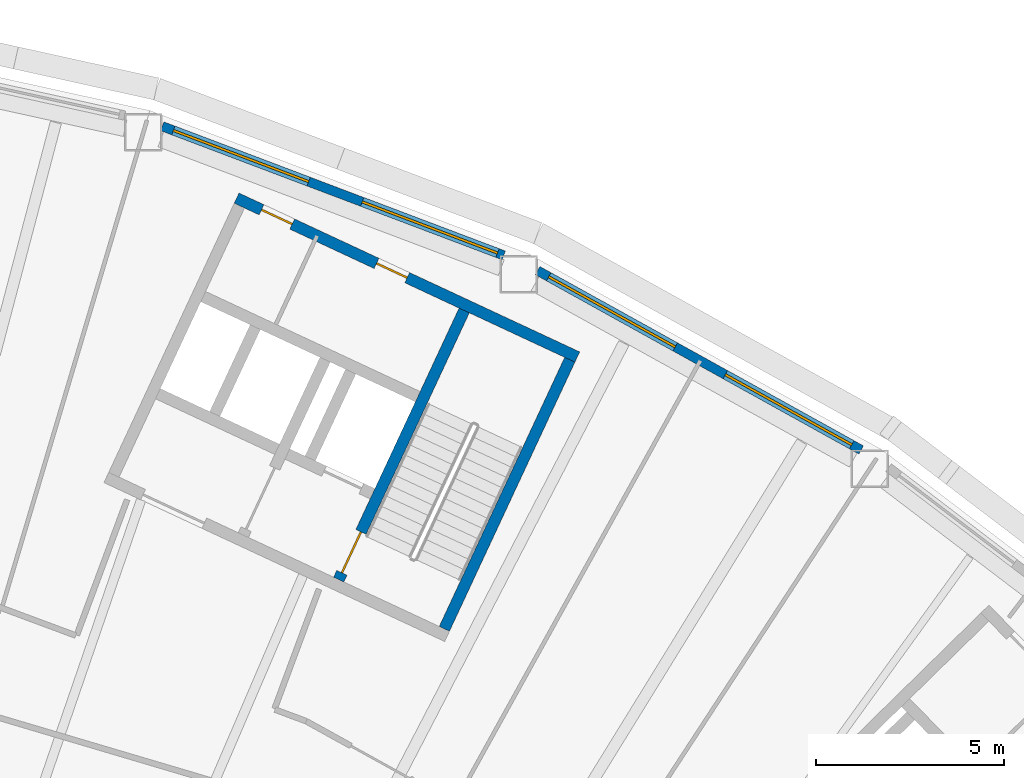
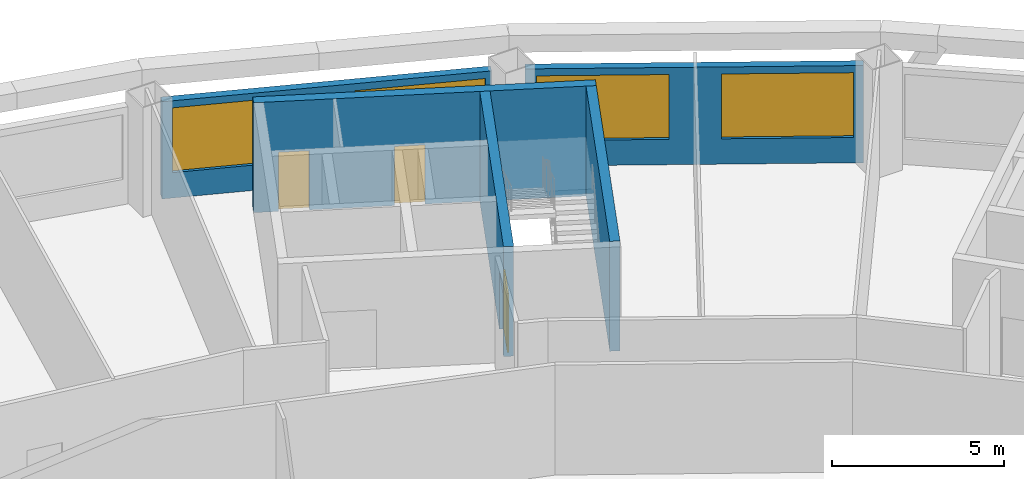
# One storey, part 8 of 11: 5 walls, 4 windows, 3 doors, 7 openings.
"""IFC4 building model written with IfcOpenShell, lengths in metres."""

from ifc_helpers import new_model, si_unit, direction, frame, frame_2d, origin, place, context, subcontext, project, spatial, rectangle, extrude, material, layer, layer_set, type_object, element, fill, save


model = new_model("IFC4")

# Units and contexts
model_context = context("Model", 3, precision=1e-05, world=origin(), true_north=direction((0.0, 1.0)))
body_context = subcontext(model_context, "Body", "Model", "MODEL_VIEW")
ifc_project = project(units=[si_unit("LENGTHUNIT", "METRE"), si_unit("AREAUNIT", "SQUARE_METRE"), si_unit("VOLUMEUNIT", "CUBIC_METRE"), si_unit("PLANEANGLEUNIT", "RADIAN"), si_unit("MASSUNIT", "GRAM", prefix="KILO")], contexts=[model_context])

# Site, building, storey
site_placement = place(None, origin())
site = spatial("IfcSite", under=ifc_project, at=site_placement, CompositionType="ELEMENT")
building_placement = place(site_placement, origin())
building = spatial("IfcBuilding", under=site, at=building_placement, Name="Tuul Gate Civic Tower", CompositionType="ELEMENT")
storey_placement = place(building_placement, frame((0.0, 0.0, 142.39990234375)))
storey = spatial("IfcBuildingStorey", under=building, at=storey_placement, Name="Level 32", CompositionType="ELEMENT", Elevation=142.39990234375)

# Wall, openings, doors
ifc_material_1 = material(Name="Concrete C50/60", Category="concrete")
ifc_layer_1 = layer(ifc_material_1, 0.300048828125)
ifc_layer_set_1 = layer_set([ifc_layer_1], Name="Concrete C50/60")
wall_type_1 = type_object("IfcWallType", Name="Core wall C50/60", PredefinedType="SHEAR", material=ifc_layer_set_1)
wall_1_placement = place(storey_placement, frame((37.993408203125, 0.181884765625, 0.0), z_axis=(0.0, 0.0, 1.0), x_axis=(-0.906310338845, 0.422612789327, 0.0)))
wall_1 = element("IfcWall", 1, at=wall_1_placement, inside=storey, type_object=wall_type_1, Name="Core wall", PredefinedType="SHEAR", context=body_context, shape_type="SweptSolid", body=[
    extrude(rectangle(XDim=9.999755859375, YDim=0.300048828125, at=frame_2d((5.0, 0.0))), origin(), (0.0, 0.0, 1.0), 3.900146484375),
])
opening_1_placement = place(wall_1_placement, frame((4.99365234375, 0.0, 0.0)))
opening_1 = element("IfcOpeningElement", 2, at=opening_1_placement, cuts=wall_1, Name="Opening K-D26", PredefinedType="OPENING", context=body_context, shape_type="SweptSolid", body=[
    extrude(rectangle(XDim=0.89990234375, YDim=2.10009765625, at=frame_2d((0.449951171875, 1.050048828125))), frame((0.0, 0.16015625, 0.0), z_axis=(0.0, -1.0, 0.0), x_axis=(1.0, 0.0, 0.0)), (0.0, 0.0, 1.0), 0.320068359375),
])
opening_2_placement = place(wall_1_placement, frame((8.368896484375, 0.0, 0.0)))
opening_2 = element("IfcOpeningElement", 3, at=opening_2_placement, cuts=wall_1, Name="Opening K-D27", PredefinedType="OPENING", context=body_context, shape_type="SweptSolid", body=[
    extrude(rectangle(XDim=0.89990234375, YDim=2.10009765625, at=frame_2d((0.449951171875, 1.050048828125))), frame((0.0, 0.16015625, 0.0), z_axis=(0.0, -1.0, 0.0), x_axis=(1.0, 0.0, 0.0)), (0.0, 0.0, 1.0), 0.320068359375),
])
ifc_material_2 = material(Name="Timber door leaf", Category="wood")
door_type_1 = type_object("IfcDoorType", Name="Door D09", OperationType="NOTDEFINED", PredefinedType="DOOR", material=ifc_material_2)
door_1_placement = place(opening_1_placement, origin())
door_1 = element("IfcDoor", 4, at=door_1_placement, inside=storey, type_object=door_type_1, Name="Door K-D26", OperationType="SINGLE_SWING_LEFT", OverallHeight=2.10009765625, OverallWidth=0.89990234375, PredefinedType="DOOR", context=body_context, shape_type="SweptSolid", body=[
    extrude(rectangle(XDim=0.89990234375, YDim=2.10009765625, at=frame_2d((0.449951171875, 1.050048828125))), frame((0.0, 0.02490234375, 0.0), z_axis=(0.0, -1.0, 0.0), x_axis=(1.0, 0.0, 0.0)), (0.0, 0.0, 1.0), 0.050048828125),
])
fill(opening_1, door_1)
door_2_placement = place(opening_2_placement, origin())
door_2 = element("IfcDoor", 5, at=door_2_placement, inside=storey, type_object=door_type_1, Name="Door K-D27", OperationType="SINGLE_SWING_RIGHT", OverallHeight=2.10009765625, OverallWidth=0.89990234375, PredefinedType="DOOR", context=body_context, shape_type="SweptSolid", body=[
    extrude(rectangle(XDim=0.89990234375, YDim=2.10009765625, at=frame_2d((0.449951171875, 1.050048828125))), frame((0.0, 0.02490234375, 0.0), z_axis=(0.0, -1.0, 0.0), x_axis=(1.0, 0.0, 0.0)), (0.0, 0.0, 1.0), 0.050048828125),
])
fill(opening_2, door_2)

# Wall
wall_2_placement = place(storey_placement, frame((34.455810546875, -7.05078125, 0.0), z_axis=(0.0, 0.0, 1.0), x_axis=(0.422570768258, 0.906329932096, 0.0)))
element("IfcWall", 6, at=wall_2_placement, inside=storey, type_object=wall_type_1, Name="Core wall", PredefinedType="SHEAR", context=body_context, shape_type="SweptSolid", body=[
    extrude(rectangle(XDim=7.900146484375, YDim=0.300048828125, at=frame_2d((3.9501953125, 0.0))), origin(), (0.0, 0.0, 1.0), 3.900146484375),
])

# Wall, opening, door
wall_3_placement = place(storey_placement, frame((31.646240234375, -5.740478515625, 0.0), z_axis=(0.0, 0.0, 1.0), x_axis=(0.422582604137, 0.906324413596, 0.0)))
wall_3 = element("IfcWall", 7, at=wall_3_placement, inside=storey, type_object=wall_type_1, Name="Core wall", PredefinedType="SHEAR", context=body_context, shape_type="SweptSolid", body=[
    extrude(rectangle(XDim=7.89990234375, YDim=0.300048828125, at=frame_2d((3.949951171875, 0.0))), origin(), (0.0, 0.0, 1.0), 3.900146484375),
])
opening_3_placement = place(wall_3_placement, frame((0.199951171875, 0.0, 0.0)))
opening_3 = element("IfcOpeningElement", 8, at=opening_3_placement, cuts=wall_3, Name="Opening SD-ST-4", PredefinedType="OPENING", context=body_context, shape_type="SweptSolid", body=[
    extrude(rectangle(XDim=1.199951171875, YDim=2.10009765625, at=frame_2d((0.60009765625, 1.050048828125))), frame((0.0, 0.16015625, 0.0), z_axis=(0.0, -1.0, 0.0), x_axis=(1.0, 0.0, 0.0)), (0.0, 0.0, 1.0), 0.320068359375),
])
ifc_material_3 = material(Name="Steel", Category="steel")
door_type_2 = type_object("IfcDoorType", Name="Stair door", OperationType="NOTDEFINED", PredefinedType="DOOR", material=ifc_material_3)
door_3_placement = place(opening_3_placement, origin())
door_3 = element("IfcDoor", 9, at=door_3_placement, inside=storey, type_object=door_type_2, Name="Stair door ST-4", OperationType="SINGLE_SWING_LEFT", OverallHeight=2.10009765625, OverallWidth=1.199951171875, PredefinedType="DOOR", context=body_context, shape_type="SweptSolid", body=[
    extrude(rectangle(XDim=1.199951171875, YDim=2.10009765625, at=frame_2d((0.60009765625, 1.050048828125))), frame((0.0, 0.02490234375, 0.0), z_axis=(0.0, -1.0, 0.0), x_axis=(1.0, 0.0, 0.0)), (0.0, 0.0, 1.0), 0.050048828125),
])
fill(opening_3, door_3)

# Wall, openings, windows
ifc_material_4 = material(Name="Precast concrete C40/50", Category="concrete")
ifc_layer_2 = layer(ifc_material_4, 0.25)
ifc_layer_set_2 = layer_set([ifc_layer_2], Name="Precast concrete C40/50")
wall_type_2 = type_object("IfcWallType", Name="External wall", PredefinedType="STANDARD", material=ifc_layer_set_2)
wall_4_placement = place(storey_placement, frame((45.545166015625, -2.291015625, 0.0), z_axis=(0.0, 0.0, 1.0), x_axis=(-0.874631968484, 0.484787499536, 0.0)))
wall_4 = element("IfcWall", 10, at=wall_4_placement, inside=storey, type_object=wall_type_2, Name="External wall", PredefinedType="STANDARD", context=body_context, shape_type="SweptSolid", body=[
    extrude(rectangle(XDim=9.8408203125, YDim=0.25, at=frame_2d((4.92041015625, 0.0))), origin(), (0.0, 0.0, 1.0), 3.4501953125),
])
opening_4_placement = place(wall_4_placement, frame((0.283447265625, 0.0, 0.89990234375)))
opening_4 = element("IfcOpeningElement", 11, at=opening_4_placement, cuts=wall_4, Name="Opening W22", PredefinedType="OPENING", context=body_context, shape_type="SweptSolid", body=[
    extrude(rectangle(XDim=3.85009765625, YDim=2.300048828125, at=frame_2d((1.925048828125, 1.14990234375))), frame((0.0, 0.135009765625, 0.0), z_axis=(0.0, -1.0, 0.0), x_axis=(1.0, 0.0, 0.0)), (0.0, 0.0, 1.0), 0.27001953125),
])
opening_5_placement = place(wall_4_placement, frame((5.655029296875, 0.0, 0.89990234375)))
opening_5 = element("IfcOpeningElement", 12, at=opening_5_placement, cuts=wall_4, Name="Opening W22", PredefinedType="OPENING", context=body_context, shape_type="SweptSolid", body=[
    extrude(rectangle(XDim=3.85009765625, YDim=2.300048828125, at=frame_2d((1.925048828125, 1.14990234375))), frame((0.0, 0.135009765625, 0.0), z_axis=(0.0, -1.0, 0.0), x_axis=(1.0, 0.0, 0.0)), (0.0, 0.0, 1.0), 0.27001953125),
])
ifc_material_5 = material(Name="Glass", Category="glass")
window_type = type_object("IfcWindowType", Name="Window W22 3850 x 2300", PartitioningType="SINGLE_PANEL", PredefinedType="WINDOW", material=ifc_material_5)
window_1_placement = place(opening_4_placement, origin())
window_1 = element("IfcWindow", 13, at=window_1_placement, inside=storey, type_object=window_type, Name="Window", OverallHeight=2.300048828125, OverallWidth=3.85009765625, PartitioningType="SINGLE_PANEL", PredefinedType="WINDOW", context=body_context, shape_type="SweptSolid", body=[
    extrude(rectangle(XDim=3.85009765625, YDim=2.300048828125, at=frame_2d((1.925048828125, 1.14990234375))), frame((0.0, 0.030029296875, 0.0), z_axis=(0.0, -1.0, 0.0), x_axis=(1.0, 0.0, 0.0)), (0.0, 0.0, 1.0), 0.06005859375),
])
fill(opening_4, window_1)
window_2_placement = place(opening_5_placement, origin())
window_2 = element("IfcWindow", 14, at=window_2_placement, inside=storey, type_object=window_type, Name="Window", OverallHeight=2.300048828125, OverallWidth=3.85009765625, PartitioningType="SINGLE_PANEL", PredefinedType="WINDOW", context=body_context, shape_type="SweptSolid", body=[
    extrude(rectangle(XDim=3.85009765625, YDim=2.300048828125, at=frame_2d((1.925048828125, 1.14990234375))), frame((0.0, 0.030029296875, 0.0), z_axis=(0.0, -1.0, 0.0), x_axis=(1.0, 0.0, 0.0)), (0.0, 0.0, 1.0), 0.06005859375),
])
fill(opening_5, window_2)

wall_5_placement = place(storey_placement, frame((36.03564453125, 2.885009765625, 0.0), z_axis=(0.0, 0.0, 1.0), x_axis=(-0.935351451724, 0.353719750307, 0.0)))
wall_5 = element("IfcWall", 15, at=wall_5_placement, inside=storey, type_object=wall_type_2, Name="External wall", PredefinedType="STANDARD", context=body_context, shape_type="SweptSolid", body=[
    extrude(rectangle(XDim=9.712646484375, YDim=0.25, at=frame_2d((4.8564453125, 0.0))), origin(), (0.0, 0.0, 1.0), 3.4501953125),
])
opening_6_placement = place(wall_5_placement, frame((0.17578125, 0.0, 0.89990234375)))
opening_6 = element("IfcOpeningElement", 16, at=opening_6_placement, cuts=wall_5, Name="Opening W22", PredefinedType="OPENING", context=body_context, shape_type="SweptSolid", body=[
    extrude(rectangle(XDim=3.85009765625, YDim=2.300048828125, at=frame_2d((1.925048828125, 1.14990234375))), frame((0.0, 0.135009765625, 0.0), z_axis=(0.0, -1.0, 0.0), x_axis=(1.0, 0.0, 0.0)), (0.0, 0.0, 1.0), 0.27001953125),
])
opening_7_placement = place(wall_5_placement, frame((5.546875, 0.0, 0.89990234375)))
opening_7 = element("IfcOpeningElement", 17, at=opening_7_placement, cuts=wall_5, Name="Opening W22", PredefinedType="OPENING", context=body_context, shape_type="SweptSolid", body=[
    extrude(rectangle(XDim=3.85009765625, YDim=2.300048828125, at=frame_2d((1.925048828125, 1.14990234375))), frame((0.0, 0.135009765625, 0.0), z_axis=(0.0, -1.0, 0.0), x_axis=(1.0, 0.0, 0.0)), (0.0, 0.0, 1.0), 0.27001953125),
])
window_3_placement = place(opening_6_placement, origin())
window_3 = element("IfcWindow", 18, at=window_3_placement, inside=storey, type_object=window_type, Name="Window", OverallHeight=2.300048828125, OverallWidth=3.85009765625, PartitioningType="SINGLE_PANEL", PredefinedType="WINDOW", context=body_context, shape_type="SweptSolid", body=[
    extrude(rectangle(XDim=3.85009765625, YDim=2.300048828125, at=frame_2d((1.925048828125, 1.14990234375))), frame((0.0, 0.030029296875, 0.0), z_axis=(0.0, -1.0, 0.0), x_axis=(1.0, 0.0, 0.0)), (0.0, 0.0, 1.0), 0.06005859375),
])
fill(opening_6, window_3)
window_4_placement = place(opening_7_placement, origin())
window_4 = element("IfcWindow", 19, at=window_4_placement, inside=storey, type_object=window_type, Name="Window", OverallHeight=2.300048828125, OverallWidth=3.85009765625, PartitioningType="SINGLE_PANEL", PredefinedType="WINDOW", context=body_context, shape_type="SweptSolid", body=[
    extrude(rectangle(XDim=3.85009765625, YDim=2.300048828125, at=frame_2d((1.925048828125, 1.14990234375))), frame((0.0, 0.030029296875, 0.0), z_axis=(0.0, -1.0, 0.0), x_axis=(1.0, 0.0, 0.0)), (0.0, 0.0, 1.0), 0.06005859375),
])
fill(opening_7, window_4)

save(model, "model.ifc")
